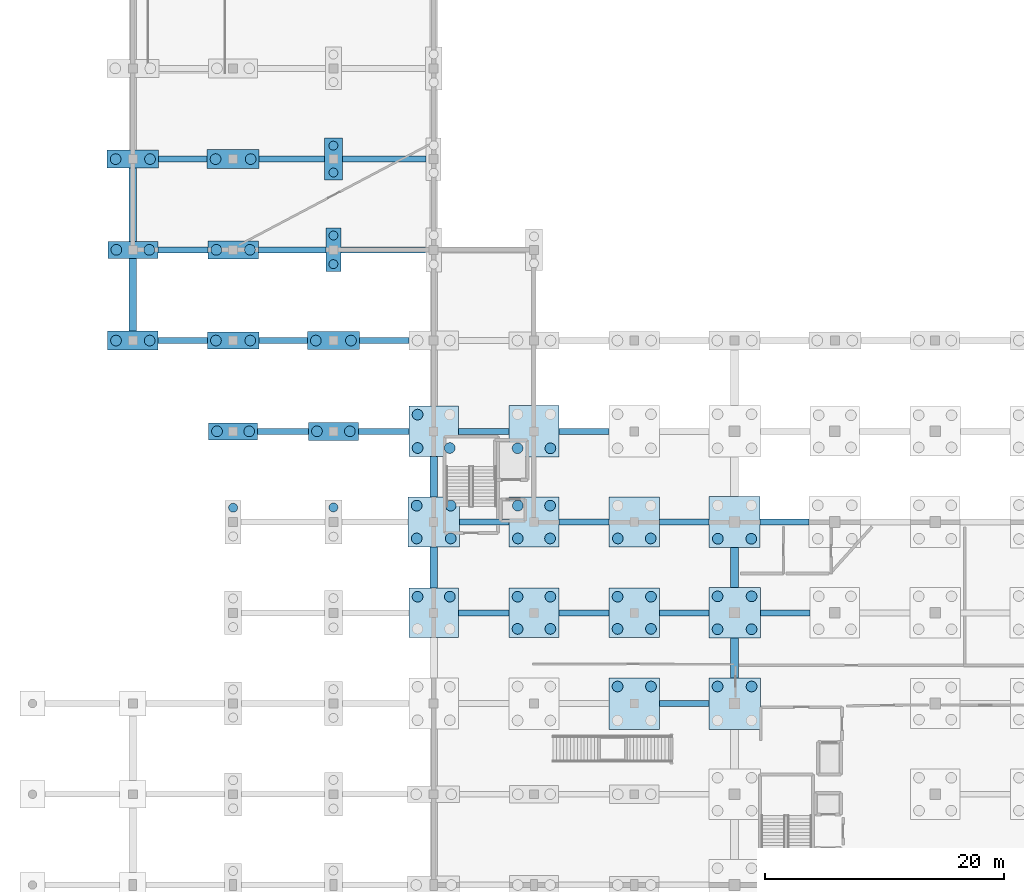
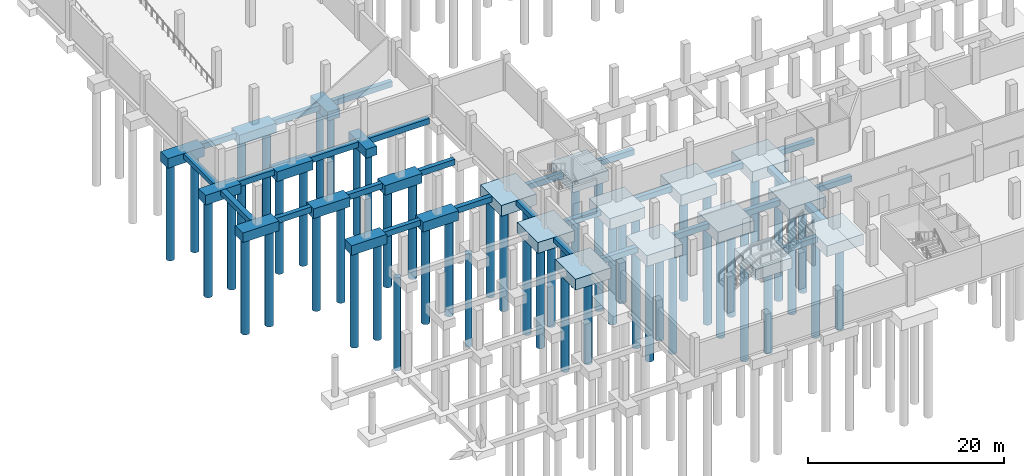
# One storey, part 2 of 22: 59 piles, 51 footings.
"""IFC4 building model written with IfcOpenShell, lengths in metres."""

from ifc_helpers import new_model, si_unit, direction, frame, origin, origin_2d, place, context, subcontext, project, spatial, rectangle, circle, extrude, material, material_profile, profile_set, type_object, element, save


model = new_model("IFC4")

# Units and contexts
model_context = context("Model", 3, precision=1e-05, world=origin(), true_north=direction((0.0, 1.0)))
body_context = subcontext(model_context, "Body", "Model", "MODEL_VIEW")
ifc_project = project(units=[si_unit("LENGTHUNIT", "METRE"), si_unit("AREAUNIT", "SQUARE_METRE"), si_unit("VOLUMEUNIT", "CUBIC_METRE"), si_unit("PLANEANGLEUNIT", "RADIAN"), si_unit("MASSUNIT", "GRAM", prefix="KILO")], contexts=[model_context])

# Site, building, storey
site_placement = place(None, origin())
site = spatial("IfcSite", under=ifc_project, at=site_placement, CompositionType="ELEMENT")
building_placement = place(site_placement, origin())
building = spatial("IfcBuilding", under=site, at=building_placement, Name="Zuvorla Pavilion Media Centre", CompositionType="ELEMENT")
storey_placement = place(building_placement, frame((0.0, 0.0, -4.5)))
storey = spatial("IfcBuildingStorey", under=building, at=storey_placement, Name="B01", CompositionType="ELEMENT", Elevation=-4.5)

# Footings
ifc_material = material(Name="Concrete C40/50", Category="concrete")
footing_type_1 = type_object("IfcFootingType", Name="FT-GB56", PredefinedType="FOOTING_BEAM", material=ifc_material)
footing_1_placement = place(storey_placement, frame((62.58740234375, 21.199951171875, -1.10009765625), z_axis=(0.0, 0.0, 1.0), x_axis=(1.0, 0.0, 0.0)))
element("IfcFooting", 1, at=footing_1_placement, inside=storey, type_object=footing_type_1, Name="Ground beam GB56 43", PredefinedType="FOOTING_BEAM", context=body_context, shape_type="SweptSolid", body=[
    extrude(rectangle(XDim=4.114990234375, YDim=0.5, at=origin_2d()), origin(), (0.0, 0.0, 1.0), 0.699951171875),
])
footing_2_placement = place(storey_placement, frame((45.78759765625, 28.800048828125, -1.10009765625), z_axis=(0.0, 0.0, 1.0), x_axis=(1.0, 0.0, 0.0)))
element("IfcFooting", 2, at=footing_2_placement, inside=storey, type_object=footing_type_1, Name="Ground beam GB56 54", PredefinedType="FOOTING_BEAM", context=body_context, shape_type="SweptSolid", body=[
    extrude(rectangle(XDim=4.215087890625, YDim=0.5, at=origin_2d()), origin(), (0.0, 0.0, 1.0), 0.699951171875),
])
footing_3_placement = place(storey_placement, frame((54.1875, 28.800048828125, -1.10009765625), z_axis=(0.0, 0.0, 1.0), x_axis=(1.0, 0.0, 0.0)))
element("IfcFooting", 3, at=footing_3_placement, inside=storey, type_object=footing_type_1, Name="Ground beam GB56 55", PredefinedType="FOOTING_BEAM", context=body_context, shape_type="SweptSolid", body=[
    extrude(rectangle(XDim=4.1650390625, YDim=0.5, at=origin_2d()), origin(), (0.0, 0.0, 1.0), 0.699951171875),
])
footing_4_placement = place(storey_placement, frame((62.58740234375, 28.800048828125, -1.10009765625), z_axis=(0.0, 0.0, 1.0), x_axis=(1.0, 0.0, 0.0)))
element("IfcFooting", 4, at=footing_4_placement, inside=storey, type_object=footing_type_1, Name="Ground beam GB56 56", PredefinedType="FOOTING_BEAM", context=body_context, shape_type="SweptSolid", body=[
    extrude(rectangle(XDim=4.114990234375, YDim=0.5, at=origin_2d()), origin(), (0.0, 0.0, 1.0), 0.699951171875),
])
for number, where, z_axis, x_axis, name in (
    (5, (71.03759765625, 28.800048828125, -1.10009765625), (0.0, 0.0, 1.0), (1.0, 0.0, 0.0), "Ground beam GB56 57"),
    (6, (45.83740234375, 36.39990234375, -1.10009765625), (0.0, 0.0, 1.0), (1.0, 0.0, 0.0), "Ground beam GB56 67"),
):
    element("IfcFooting", number, at=place(storey_placement, frame(where, z_axis=z_axis, x_axis=x_axis)), inside=storey, type_object=footing_type_1, Name=name, PredefinedType="FOOTING_BEAM", context=body_context, shape_type="SweptSolid", body=[
        extrude(rectangle(XDim=4.1650390625, YDim=0.5, at=origin_2d()), origin(), (0.0, 0.0, 1.0), 0.699951171875),
    ])
footing_5_placement = place(storey_placement, frame((54.1875, 36.39990234375, -1.10009765625), z_axis=(0.0, 0.0, 1.0), x_axis=(1.0, 0.0, 0.0)))
element("IfcFooting", 7, at=footing_5_placement, inside=storey, type_object=footing_type_1, Name="Ground beam GB56 68", PredefinedType="FOOTING_BEAM", context=body_context, shape_type="SweptSolid", body=[
    extrude(rectangle(XDim=4.215087890625, YDim=0.5, at=origin_2d()), origin(), (0.0, 0.0, 1.0), 0.699951171875),
])
footing_6_placement = place(storey_placement, frame((62.58740234375, 36.39990234375, -1.10009765625), z_axis=(0.0, 0.0, 1.0), x_axis=(1.0, 0.0, 0.0)))
element("IfcFooting", 8, at=footing_6_placement, inside=storey, type_object=footing_type_1, Name="Ground beam GB56 69", PredefinedType="FOOTING_BEAM", context=body_context, shape_type="SweptSolid", body=[
    extrude(rectangle(XDim=4.1650390625, YDim=0.5, at=origin_2d()), origin(), (0.0, 0.0, 1.0), 0.699951171875),
])
footing_7_placement = place(storey_placement, frame((70.987548828125, 36.39990234375, -1.10009765625), z_axis=(0.0, 0.0, 1.0), x_axis=(1.0, 0.0, 0.0)))
element("IfcFooting", 9, at=footing_7_placement, inside=storey, type_object=footing_type_1, Name="Ground beam GB56 70", PredefinedType="FOOTING_BEAM", context=body_context, shape_type="SweptSolid", body=[
    extrude(rectangle(XDim=4.114990234375, YDim=0.5, at=origin_2d()), origin(), (0.0, 0.0, 1.0), 0.699951171875),
])
footing_8_placement = place(storey_placement, frame((28.985107421875, 44.0, -1.10009765625), z_axis=(0.0, 0.0, 1.0), x_axis=(1.0, 0.0, 0.0)))
element("IfcFooting", 10, at=footing_8_placement, inside=storey, type_object=footing_type_1, Name="Ground beam GB56 81", PredefinedType="FOOTING_BEAM", context=body_context, shape_type="SweptSolid", body=[
    extrude(rectangle(XDim=4.25, YDim=0.5, at=origin_2d()), origin(), (0.0, 0.0, 1.0), 0.699951171875),
])
footing_9_placement = place(storey_placement, frame((37.405029296875, 44.0, -1.10009765625), z_axis=(0.0, 0.0, 1.0), x_axis=(1.0, 0.0, 0.0)))
element("IfcFooting", 11, at=footing_9_placement, inside=storey, type_object=footing_type_1, Name="Ground beam GB56 82", PredefinedType="FOOTING_BEAM", context=body_context, shape_type="SweptSolid", body=[
    extrude(rectangle(XDim=4.22998046875, YDim=0.5, at=origin_2d()), origin(), (0.0, 0.0, 1.0), 0.699951171875),
])
footing_10_placement = place(storey_placement, frame((45.78759765625, 44.0, -1.10009765625), z_axis=(0.0, 0.0, 1.0), x_axis=(1.0, 0.0, 0.0)))
element("IfcFooting", 12, at=footing_10_placement, inside=storey, type_object=footing_type_1, Name="Ground beam GB56 83", PredefinedType="FOOTING_BEAM", context=body_context, shape_type="SweptSolid", body=[
    extrude(rectangle(XDim=4.215087890625, YDim=0.5, at=origin_2d()), origin(), (0.0, 0.0, 1.0), 0.699951171875),
])
footing_11_placement = place(storey_placement, frame((54.1875, 44.0, -1.10009765625), z_axis=(0.0, 0.0, 1.0), x_axis=(1.0, 0.0, 0.0)))
element("IfcFooting", 13, at=footing_11_placement, inside=storey, type_object=footing_type_1, Name="Ground beam GB56 84", PredefinedType="FOOTING_BEAM", context=body_context, shape_type="SweptSolid", body=[
    extrude(rectangle(XDim=4.1650390625, YDim=0.5, at=origin_2d()), origin(), (0.0, 0.0, 1.0), 0.699951171875),
])
footing_12_placement = place(storey_placement, frame((20.5849609375, 51.60009765625, -1.10009765625), z_axis=(0.0, 0.0, 1.0), x_axis=(1.0, 0.0, 0.0)))
element("IfcFooting", 14, at=footing_12_placement, inside=storey, type_object=footing_type_1, Name="Ground beam GB56 97", PredefinedType="FOOTING_BEAM", context=body_context, shape_type="SweptSolid", body=[
    extrude(rectangle(XDim=4.1298828125, YDim=0.5, at=origin_2d()), origin(), (0.0, 0.0, 1.0), 0.699951171875),
])
footing_13_placement = place(storey_placement, frame((28.985107421875, 51.60009765625, -1.10009765625), z_axis=(0.0, 0.0, 1.0), x_axis=(1.0, 0.0, 0.0)))
element("IfcFooting", 15, at=footing_13_placement, inside=storey, type_object=footing_type_1, Name="Ground beam GB56 98", PredefinedType="FOOTING_BEAM", context=body_context, shape_type="SweptSolid", body=[
    extrude(rectangle(XDim=4.070068359375, YDim=0.5, at=origin_2d()), origin(), (0.0, 0.0, 1.0), 0.699951171875),
])
footing_14_placement = place(storey_placement, frame((37.4599609375, 51.60009765625, -1.10009765625), z_axis=(0.0, 0.0, 1.0), x_axis=(1.0, 0.0, 0.0)))
element("IfcFooting", 16, at=footing_14_placement, inside=storey, type_object=footing_type_1, Name="Ground beam GB56 99", PredefinedType="FOOTING_BEAM", context=body_context, shape_type="SweptSolid", body=[
    extrude(rectangle(XDim=4.159912109375, YDim=0.5, at=origin_2d()), origin(), (0.0, 0.0, 1.0), 0.699951171875),
])
footing_15_placement = place(storey_placement, frame((20.5849609375, 59.199951171875, -1.10009765625), z_axis=(0.0, 0.0, 1.0), x_axis=(1.0, 0.0, 0.0)))
element("IfcFooting", 17, at=footing_15_placement, inside=storey, type_object=footing_type_1, Name="Ground beam GB56 115", PredefinedType="FOOTING_BEAM", context=body_context, shape_type="SweptSolid", body=[
    extrude(rectangle(XDim=4.18994140625, YDim=0.5, at=origin_2d()), origin(), (0.0, 0.0, 1.0), 0.699951171875),
])
footing_16_placement = place(storey_placement, frame((29.74755859375, 59.199951171875, -1.10009765625), z_axis=(0.0, 0.0, 1.0), x_axis=(1.0, 0.0, 0.0)))
element("IfcFooting", 18, at=footing_16_placement, inside=storey, type_object=footing_type_1, Name="Ground beam GB56 116", PredefinedType="FOOTING_BEAM", context=body_context, shape_type="SweptSolid", body=[
    extrude(rectangle(XDim=5.655029296875, YDim=0.5, at=origin_2d()), origin(), (0.0, 0.0, 1.0), 0.699951171875),
])
footing_17_placement = place(storey_placement, frame((37.3798828125, 59.199951171875, -1.10009765625), z_axis=(0.0, 0.0, 1.0), x_axis=(1.0, 0.0, 0.0)))
element("IfcFooting", 19, at=footing_17_placement, inside=storey, type_object=footing_type_1, Name="Ground beam GB56 117", PredefinedType="FOOTING_BEAM", context=body_context, shape_type="SweptSolid", body=[
    extrude(rectangle(XDim=7.110107421875, YDim=0.5, at=origin_2d()), origin(), (0.0, 0.0, 1.0), 0.699951171875),
])
footing_18_placement = place(storey_placement, frame((20.5849609375, 66.800048828125, -1.10009765625), z_axis=(0.0, 0.0, 1.0), x_axis=(1.0, 0.0, 0.0)))
element("IfcFooting", 20, at=footing_18_placement, inside=storey, type_object=footing_type_1, Name="Ground beam GB56 120", PredefinedType="FOOTING_BEAM", context=body_context, shape_type="SweptSolid", body=[
    extrude(rectangle(XDim=4.070068359375, YDim=0.5, at=origin_2d()), origin(), (0.0, 0.0, 1.0), 0.699951171875),
])
footing_19_placement = place(storey_placement, frame((29.717529296875, 66.800048828125, -1.10009765625), z_axis=(0.0, 0.0, 1.0), x_axis=(1.0, 0.0, 0.0)))
element("IfcFooting", 21, at=footing_19_placement, inside=storey, type_object=footing_type_1, Name="Ground beam GB56 121", PredefinedType="FOOTING_BEAM", context=body_context, shape_type="SweptSolid", body=[
    extrude(rectangle(XDim=5.47509765625, YDim=0.5, at=origin_2d()), origin(), (0.0, 0.0, 1.0), 0.699951171875),
])
footing_20_placement = place(storey_placement, frame((37.4599609375, 66.800048828125, -1.10009765625), z_axis=(0.0, 0.0, 1.0), x_axis=(1.0, 0.0, 0.0)))
element("IfcFooting", 22, at=footing_20_placement, inside=storey, type_object=footing_type_1, Name="Ground beam GB56 122", PredefinedType="FOOTING_BEAM", context=body_context, shape_type="SweptSolid", body=[
    extrude(rectangle(XDim=7.030029296875, YDim=0.5, at=origin_2d()), origin(), (0.0, 0.0, 1.0), 0.699951171875),
])
footing_type_2 = type_object("IfcFootingType", Name="FT-PC05", PredefinedType="PILE_CAP", material=ifc_material)
footing_21_placement = place(storey_placement, frame((33.199951171875, 51.60009765625, -1.60009765625), z_axis=(0.0, 0.0, 1.0), x_axis=(1.0, 0.0, 0.0)))
element("IfcFooting", 23, at=footing_21_placement, inside=storey, type_object=footing_type_2, Name="Pile cap PC05", PredefinedType="PILE_CAP", context=body_context, shape_type="SweptSolid", body=[
    extrude(rectangle(XDim=4.360107421875, YDim=1.5, at=origin_2d()), origin(), (0.0, 0.0, 1.0), 1.199951171875),
])
footing_type_3 = type_object("IfcFootingType", Name="FT-PC07", PredefinedType="PILE_CAP", material=ifc_material)
footing_22_placement = place(storey_placement, frame((16.39990234375, 59.199951171875, -1.60009765625), z_axis=(0.0, 0.0, 1.0), x_axis=(1.0, 0.0, 0.0)))
element("IfcFooting", 24, at=footing_22_placement, inside=storey, type_object=footing_type_3, Name="Pile cap PC07", PredefinedType="PILE_CAP", context=body_context, shape_type="SweptSolid", body=[
    extrude(rectangle(XDim=4.179931640625, YDim=1.419921875, at=origin_2d()), origin(), (0.0, 0.0, 1.0), 1.199951171875),
])
footing_type_4 = type_object("IfcFootingType", Name="FT-PC09", PredefinedType="PILE_CAP", material=ifc_material)
footing_23_placement = place(storey_placement, frame((41.60009765625, 44.0, -1.75), z_axis=(0.0, 0.0, 1.0), x_axis=(1.0, 0.0, 0.0)))
element("IfcFooting", 25, at=footing_23_placement, inside=storey, type_object=footing_type_4, Name="Pile cap PC09", PredefinedType="PILE_CAP", context=body_context, shape_type="SweptSolid", body=[
    extrude(rectangle(XDim=4.159912109375, YDim=4.260009765625, at=origin_2d()), origin(), (0.0, 0.0, 1.0), 1.35009765625),
])
footing_type_5 = type_object("IfcFootingType", Name="FT-PC10", PredefinedType="PILE_CAP", material=ifc_material)
footing_24_placement = place(storey_placement, frame((50.0, 44.0, -1.75), z_axis=(0.0, 0.0, 1.0), x_axis=(1.0, 0.0, 0.0)))
element("IfcFooting", 26, at=footing_24_placement, inside=storey, type_object=footing_type_5, Name="Pile cap PC10", PredefinedType="PILE_CAP", context=body_context, shape_type="SweptSolid", body=[
    extrude(rectangle(XDim=4.2099609375, YDim=4.31005859375, at=origin_2d()), origin(), (0.0, 0.0, 1.0), 1.35009765625),
])
footing_type_6 = type_object("IfcFootingType", Name="FT-PC11", PredefinedType="PILE_CAP", material=ifc_material)
footing_25_placement = place(storey_placement, frame((58.39990234375, 21.199951171875, -1.75), z_axis=(0.0, 0.0, 1.0), x_axis=(1.0, 0.0, 0.0)))
element("IfcFooting", 27, at=footing_25_placement, inside=storey, type_object=footing_type_6, Name="Pile cap PC11", PredefinedType="PILE_CAP", context=body_context, shape_type="SweptSolid", body=[
    extrude(rectangle(XDim=4.260009765625, YDim=4.31005859375, at=origin_2d()), origin(), (0.0, 0.0, 1.0), 1.35009765625),
])
footing_type_7 = type_object("IfcFootingType", Name="FT-PC12", PredefinedType="PILE_CAP", material=ifc_material)
footing_26_placement = place(storey_placement, frame((66.800048828125, 21.199951171875, -1.75), z_axis=(0.0, 0.0, 1.0), x_axis=(1.0, 0.0, 0.0)))
element("IfcFooting", 28, at=footing_26_placement, inside=storey, type_object=footing_type_7, Name="Pile cap PC12", PredefinedType="PILE_CAP", context=body_context, shape_type="SweptSolid", body=[
    extrude(rectangle(XDim=4.31005859375, YDim=4.31005859375, at=origin_2d()), origin(), (0.0, 0.0, 1.0), 1.35009765625),
])
footing_type_8 = type_object("IfcFootingType", Name="FT-PC14", PredefinedType="PILE_CAP", material=ifc_material)
footing_27_placement = place(storey_placement, frame((16.39990234375, 66.800048828125, -1.60009765625), z_axis=(0.0, 0.0, 1.0), x_axis=(1.0, 0.0, 0.0)))
element("IfcFooting", 29, at=footing_27_placement, inside=storey, type_object=footing_type_8, Name="Pile cap PC14", PredefinedType="PILE_CAP", context=body_context, shape_type="SweptSolid", body=[
    extrude(rectangle(XDim=4.300048828125, YDim=1.5, at=origin_2d()), origin(), (0.0, 0.0, 1.0), 1.199951171875),
])
footing_type_9 = type_object("IfcFootingType", Name="FT-PC15", PredefinedType="PILE_CAP", material=ifc_material)
footing_28_placement = place(storey_placement, frame((24.800048828125, 66.800048828125, -1.60009765625), z_axis=(0.0, 0.0, 1.0), x_axis=(1.0, 0.0, 0.0)))
element("IfcFooting", 30, at=footing_28_placement, inside=storey, type_object=footing_type_9, Name="Pile cap PC15", PredefinedType="PILE_CAP", context=body_context, shape_type="SweptSolid", body=[
    extrude(rectangle(XDim=4.360107421875, YDim=1.580078125, at=origin_2d()), origin(), (0.0, 0.0, 1.0), 1.199951171875),
])
footing_type_10 = type_object("IfcFootingType", Name="FT-PC16", PredefinedType="PILE_CAP", material=ifc_material)
footing_29_placement = place(storey_placement, frame((24.800048828125, 44.0, -1.60009765625), z_axis=(0.0, 0.0, 1.0), x_axis=(1.0, 0.0, 0.0)))
element("IfcFooting", 31, at=footing_29_placement, inside=storey, type_object=footing_type_10, Name="Pile cap PC16", PredefinedType="PILE_CAP", context=body_context, shape_type="SweptSolid", body=[
    extrude(rectangle(XDim=4.1201171875, YDim=1.419921875, at=origin_2d()), origin(), (0.0, 0.0, 1.0), 1.199951171875),
])
footing_type_11 = type_object("IfcFootingType", Name="FT-PC17", PredefinedType="PILE_CAP", material=ifc_material)
footing_30_placement = place(storey_placement, frame((33.199951171875, 44.0, -1.60009765625), z_axis=(0.0, 0.0, 1.0), x_axis=(1.0, 0.0, 0.0)))
element("IfcFooting", 32, at=footing_30_placement, inside=storey, type_object=footing_type_11, Name="Pile cap PC17", PredefinedType="PILE_CAP", context=body_context, shape_type="SweptSolid", body=[
    extrude(rectangle(XDim=4.179931640625, YDim=1.5, at=origin_2d()), origin(), (0.0, 0.0, 1.0), 1.199951171875),
])
footing_type_12 = type_object("IfcFootingType", Name="FT-PC18", PredefinedType="PILE_CAP", material=ifc_material)
footing_31_placement = place(storey_placement, frame((16.39990234375, 51.60009765625, -1.60009765625), z_axis=(0.0, 0.0, 1.0), x_axis=(1.0, 0.0, 0.0)))
element("IfcFooting", 33, at=footing_31_placement, inside=storey, type_object=footing_type_12, Name="Pile cap PC18", PredefinedType="PILE_CAP", context=body_context, shape_type="SweptSolid", body=[
    extrude(rectangle(XDim=4.239990234375, YDim=1.580078125, at=origin_2d()), origin(), (0.0, 0.0, 1.0), 1.199951171875),
])
footing_type_13 = type_object("IfcFootingType", Name="FT-PC26", PredefinedType="PILE_CAP", material=ifc_material)
for number, where, z_axis, x_axis, name in (
    (34, (66.800048828125, 28.800048828125, -1.75), (0.0, 0.0, 1.0), (1.0, 0.0, 0.0), "Pile cap PC26"),
    (35, (41.60009765625, 36.39990234375, -1.75), (0.0, 0.0, 1.0), (1.0, 0.0, 0.0), "Pile cap PC26"),
):
    element("IfcFooting", number, at=place(storey_placement, frame(where, z_axis=z_axis, x_axis=x_axis)), inside=storey, type_object=footing_type_13, Name=name, PredefinedType="PILE_CAP", context=body_context, shape_type="SweptSolid", body=[
        extrude(rectangle(XDim=4.31005859375, YDim=4.2099609375, at=origin_2d()), origin(), (0.0, 0.0, 1.0), 1.35009765625),
    ])
footing_type_14 = type_object("IfcFootingType", Name="FT-PC27", PredefinedType="PILE_CAP", material=ifc_material)
footing_32_placement = place(storey_placement, frame((50.0, 36.39990234375, -1.75), z_axis=(0.0, 0.0, 1.0), x_axis=(1.0, 0.0, 0.0)))
element("IfcFooting", 36, at=footing_32_placement, inside=storey, type_object=footing_type_14, Name="Pile cap PC27", PredefinedType="PILE_CAP", context=body_context, shape_type="SweptSolid", body=[
    extrude(rectangle(XDim=4.159912109375, YDim=4.2099609375, at=origin_2d()), origin(), (0.0, 0.0, 1.0), 1.35009765625),
])
footing_type_15 = type_object("IfcFootingType", Name="FT-PC28", PredefinedType="PILE_CAP", material=ifc_material)
footing_33_placement = place(storey_placement, frame((58.39990234375, 36.39990234375, -1.75), z_axis=(0.0, 0.0, 1.0), x_axis=(1.0, 0.0, 0.0)))
element("IfcFooting", 37, at=footing_33_placement, inside=storey, type_object=footing_type_15, Name="Pile cap PC28", PredefinedType="PILE_CAP", context=body_context, shape_type="SweptSolid", body=[
    extrude(rectangle(XDim=4.2099609375, YDim=4.2099609375, at=origin_2d()), origin(), (0.0, 0.0, 1.0), 1.35009765625),
])
footing_type_16 = type_object("IfcFootingType", Name="FT-PC29", PredefinedType="PILE_CAP", material=ifc_material)
footing_34_placement = place(storey_placement, frame((66.800048828125, 36.39990234375, -1.75), z_axis=(0.0, 0.0, 1.0), x_axis=(1.0, 0.0, 0.0)))
element("IfcFooting", 38, at=footing_34_placement, inside=storey, type_object=footing_type_16, Name="Pile cap PC29", PredefinedType="PILE_CAP", context=body_context, shape_type="SweptSolid", body=[
    extrude(rectangle(XDim=4.260009765625, YDim=4.260009765625, at=origin_2d()), origin(), (0.0, 0.0, 1.0), 1.35009765625),
])
footing_type_17 = type_object("IfcFootingType", Name="FT-PC30", PredefinedType="PILE_CAP", material=ifc_material)
footing_35_placement = place(storey_placement, frame((24.800048828125, 51.60009765625, -1.60009765625), z_axis=(0.0, 0.0, 1.0), x_axis=(1.0, 0.0, 0.0)))
element("IfcFooting", 39, at=footing_35_placement, inside=storey, type_object=footing_type_17, Name="Pile cap PC30", PredefinedType="PILE_CAP", context=body_context, shape_type="SweptSolid", body=[
    extrude(rectangle(XDim=4.300048828125, YDim=1.419921875, at=origin_2d()), origin(), (0.0, 0.0, 1.0), 1.199951171875),
])
footing_type_18 = type_object("IfcFootingType", Name="FT-PC31", PredefinedType="PILE_CAP", material=ifc_material)
footing_36_placement = place(storey_placement, frame((24.800048828125, 59.199951171875, -1.60009765625), z_axis=(0.0, 0.0, 1.0), x_axis=(1.0, 0.0, 0.0)))
element("IfcFooting", 40, at=footing_36_placement, inside=storey, type_object=footing_type_18, Name="Pile cap PC31", PredefinedType="PILE_CAP", context=body_context, shape_type="SweptSolid", body=[
    extrude(rectangle(XDim=4.239990234375, YDim=1.5, at=origin_2d()), origin(), (0.0, 0.0, 1.0), 1.199951171875),
])
footing_type_19 = type_object("IfcFootingType", Name="FT-PC34", PredefinedType="PILE_CAP", material=ifc_material)
footing_37_placement = place(storey_placement, frame((41.60009765625, 28.800048828125, -1.75), z_axis=(0.0, 0.0, 1.0), x_axis=(1.0, 0.0, 0.0)))
element("IfcFooting", 41, at=footing_37_placement, inside=storey, type_object=footing_type_19, Name="Pile cap PC34", PredefinedType="PILE_CAP", context=body_context, shape_type="SweptSolid", body=[
    extrude(rectangle(XDim=4.159912109375, YDim=4.159912109375, at=origin_2d()), origin(), (0.0, 0.0, 1.0), 1.35009765625),
])
footing_type_20 = type_object("IfcFootingType", Name="FT-PC35", PredefinedType="PILE_CAP", material=ifc_material)
footing_38_placement = place(storey_placement, frame((50.0, 28.800048828125, -1.75), z_axis=(0.0, 0.0, 1.0), x_axis=(1.0, 0.0, 0.0)))
element("IfcFooting", 42, at=footing_38_placement, inside=storey, type_object=footing_type_20, Name="Pile cap PC35", PredefinedType="PILE_CAP", context=body_context, shape_type="SweptSolid", body=[
    extrude(rectangle(XDim=4.2099609375, YDim=4.159912109375, at=origin_2d()), origin(), (0.0, 0.0, 1.0), 1.35009765625),
])
footing_type_21 = type_object("IfcFootingType", Name="FT-PC36", PredefinedType="PILE_CAP", material=ifc_material)
footing_39_placement = place(storey_placement, frame((58.39990234375, 28.800048828125, -1.75), z_axis=(0.0, 0.0, 1.0), x_axis=(1.0, 0.0, 0.0)))
element("IfcFooting", 43, at=footing_39_placement, inside=storey, type_object=footing_type_21, Name="Pile cap PC36", PredefinedType="PILE_CAP", context=body_context, shape_type="SweptSolid", body=[
    extrude(rectangle(XDim=4.260009765625, YDim=4.159912109375, at=origin_2d()), origin(), (0.0, 0.0, 1.0), 1.35009765625),
])
footing_type_22 = type_object("IfcFootingType", Name="FT-PC42", PredefinedType="PILE_CAP", material=ifc_material)
footing_40_placement = place(storey_placement, frame((33.199951171875, 59.199951171875, -1.5), z_axis=(0.0, 0.0, 1.0), x_axis=(1.0, 0.0, 0.0)))
element("IfcFooting", 44, at=footing_40_placement, inside=storey, type_object=footing_type_22, Name="Pile cap PC42", PredefinedType="PILE_CAP", context=body_context, shape_type="SweptSolid", body=[
    extrude(rectangle(XDim=1.25, YDim=3.64990234375, at=origin_2d()), origin(), (0.0, 0.0, 1.0), 1.10009765625),
])
footing_type_23 = type_object("IfcFootingType", Name="FT-PC45", PredefinedType="PILE_CAP", material=ifc_material)
footing_41_placement = place(storey_placement, frame((33.199951171875, 66.800048828125, -1.5), z_axis=(0.0, 0.0, 1.0), x_axis=(1.0, 0.0, 0.0)))
element("IfcFooting", 45, at=footing_41_placement, inside=storey, type_object=footing_type_23, Name="Pile cap PC45", PredefinedType="PILE_CAP", context=body_context, shape_type="SweptSolid", body=[
    extrude(rectangle(XDim=1.489990234375, YDim=3.5, at=origin_2d()), origin(), (0.0, 0.0, 1.0), 1.10009765625),
])
footing_type_24 = type_object("IfcFootingType", Name="FT-SF57", PredefinedType="STRIP_FOOTING", material=ifc_material)
footing_42_placement = place(storey_placement, frame((16.39990234375, 55.43994140625, -1.0), z_axis=(0.0, 0.0, 1.0), x_axis=(0.0, 1.0, 0.0)))
element("IfcFooting", 46, at=footing_42_placement, inside=storey, type_object=footing_type_24, Name="Strip footing SF57 3", PredefinedType="STRIP_FOOTING", context=body_context, shape_type="SweptSolid", body=[
    extrude(rectangle(XDim=6.10009765625, YDim=0.64990234375, at=origin_2d()), origin(), (0.0, 0.0, 1.0), 0.60009765625),
])
footing_43_placement = place(storey_placement, frame((16.39990234375, 62.97998046875, -1.0), z_axis=(0.0, 0.0, 1.0), x_axis=(0.0, 1.0, 0.0)))
element("IfcFooting", 47, at=footing_43_placement, inside=storey, type_object=footing_type_24, Name="Strip footing SF57 4", PredefinedType="STRIP_FOOTING", context=body_context, shape_type="SweptSolid", body=[
    extrude(rectangle(XDim=6.139892578125, YDim=0.64990234375, at=origin_2d()), origin(), (0.0, 0.0, 1.0), 0.60009765625),
])
footing_44_placement = place(storey_placement, frame((41.60009765625, 32.58740234375, -1.0), z_axis=(0.0, 0.0, 1.0), x_axis=(0.0, 1.0, 0.0)))
element("IfcFooting", 48, at=footing_44_placement, inside=storey, type_object=footing_type_24, Name="Strip footing SF57 15", PredefinedType="STRIP_FOOTING", context=body_context, shape_type="SweptSolid", body=[
    extrude(rectangle(XDim=3.4150390625, YDim=0.64990234375, at=origin_2d()), origin(), (0.0, 0.0, 1.0), 0.60009765625),
])
footing_45_placement = place(storey_placement, frame((41.60009765625, 40.1875, -1.0), z_axis=(0.0, 0.0, 1.0), x_axis=(0.0, 1.0, 0.0)))
element("IfcFooting", 49, at=footing_45_placement, inside=storey, type_object=footing_type_24, Name="Strip footing SF57 16", PredefinedType="STRIP_FOOTING", context=body_context, shape_type="SweptSolid", body=[
    extrude(rectangle(XDim=3.364990234375, YDim=0.64990234375, at=origin_2d()), origin(), (0.0, 0.0, 1.0), 0.60009765625),
])
footing_46_placement = place(storey_placement, frame((66.800048828125, 25.02490234375, -1.0), z_axis=(0.0, 0.0, 1.0), x_axis=(0.0, 1.0, 0.0)))
element("IfcFooting", 50, at=footing_46_placement, inside=storey, type_object=footing_type_24, Name="Strip footing SF57 29", PredefinedType="STRIP_FOOTING", context=body_context, shape_type="SweptSolid", body=[
    extrude(rectangle(XDim=3.340087890625, YDim=0.64990234375, at=origin_2d()), origin(), (0.0, 0.0, 1.0), 0.60009765625),
])
footing_47_placement = place(storey_placement, frame((66.800048828125, 32.58740234375, -1.0), z_axis=(0.0, 0.0, 1.0), x_axis=(0.0, 1.0, 0.0)))
element("IfcFooting", 51, at=footing_47_placement, inside=storey, type_object=footing_type_24, Name="Strip footing SF57 30", PredefinedType="STRIP_FOOTING", context=body_context, shape_type="SweptSolid", body=[
    extrude(rectangle(XDim=3.364990234375, YDim=0.64990234375, at=origin_2d()), origin(), (0.0, 0.0, 1.0), 0.60009765625),
])

# Piles
ifc_material_profile_1 = material_profile(ifc_material, circle(Radius=0.375, at=origin_2d()), Name="BORED PILE 750")
ifc_profile_set_1 = profile_set([ifc_material_profile_1], Name="Concrete C40/50")
pile_type_1 = type_object("IfcPileType", Name="PIL-D750", PredefinedType="BORED", material=ifc_profile_set_1)
for number, where, z_axis, x_axis, name in (
    (52, (24.800048828125, 37.60009765625, -1.39990234375), (0.0, 0.0, -1.0), (1.0, 0.0, 0.0), "Bored pile P75 178"),
    (53, (33.199951171875, 37.625, -1.39990234375), (0.0, 0.0, -1.0), (1.0, 0.0, 0.0), "Bored pile P75 180"),
    (54, (33.199951171875, 58.0, -1.39990234375), (0.0, 0.0, -1.0), (1.0, 0.0, 0.0), "Bored pile P75 323"),
    (55, (33.199951171875, 60.39990234375, -1.39990234375), (0.0, 0.0, -1.0), (1.0, 0.0, 0.0), "Bored pile P75 324"),
    (56, (33.199951171875, 65.675048828125, -1.39990234375), (0.0, 0.0, -1.0), (1.0, 0.0, 0.0), "Bored pile P75 337"),
    (57, (33.199951171875, 67.925048828125, -1.39990234375), (0.0, 0.0, -1.0), (1.0, 0.0, 0.0), "Bored pile P75 338"),
):
    element("IfcPile", number, at=place(storey_placement, frame(where, z_axis=z_axis, x_axis=x_axis)), inside=storey, type_object=pile_type_1, Name=name, PredefinedType="BORED", context=body_context, shape_type="SweptSolid", body=[
        extrude(circle(Radius=0.375, at=origin_2d()), origin(), (0.0, 0.0, 1.0), 11.60009765625),
    ])
ifc_material_profile_2 = material_profile(ifc_material, circle(Radius=0.449951171875, at=origin_2d()), Name="BORED PILE 900")
ifc_profile_set_2 = profile_set([ifc_material_profile_2], Name="Concrete C40/50")
pile_type_2 = type_object("IfcPileType", Name="PIL-D900", PredefinedType="BORED", material=ifc_profile_set_2)
for number, where, z_axis, x_axis, name in (
    (58, (57.0, 22.625, -1.64990234375), (0.0, 0.0, -1.0), (1.0, 0.0, 0.0), "Bored pile P90 99"),
    (59, (59.800048828125, 22.625, -1.64990234375), (0.0, 0.0, -1.0), (1.0, 0.0, 0.0), "Bored pile P90 100"),
    (60, (65.375, 22.625, -1.64990234375), (0.0, 0.0, -1.0), (1.0, 0.0, 0.0), "Bored pile P90 103"),
    (61, (68.22509765625, 22.625, -1.64990234375), (0.0, 0.0, -1.0), (1.0, 0.0, 0.0), "Bored pile P90 104"),
    (62, (40.25, 30.14990234375, -1.64990234375), (0.0, 0.0, -1.0), (1.0, 0.0, 0.0), "Bored pile P90 135"),
    (63, (42.949951171875, 30.14990234375, -1.64990234375), (0.0, 0.0, -1.0), (1.0, 0.0, 0.0), "Bored pile P90 136"),
    (64, (48.625, 27.449951171875, -1.64990234375), (0.0, 0.0, -1.0), (1.0, 0.0, 0.0), "Bored pile P90 137"),
    (65, (51.375, 27.449951171875, -1.64990234375), (0.0, 0.0, -1.0), (1.0, 0.0, 0.0), "Bored pile P90 138"),
    (66, (48.625, 30.14990234375, -1.64990234375), (0.0, 0.0, -1.0), (1.0, 0.0, 0.0), "Bored pile P90 139"),
    (67, (51.375, 30.14990234375, -1.64990234375), (0.0, 0.0, -1.0), (1.0, 0.0, 0.0), "Bored pile P90 140"),
    (68, (57.0, 27.449951171875, -1.64990234375), (0.0, 0.0, -1.0), (1.0, 0.0, 0.0), "Bored pile P90 141"),
    (69, (59.800048828125, 27.449951171875, -1.64990234375), (0.0, 0.0, -1.0), (1.0, 0.0, 0.0), "Bored pile P90 142"),
    (70, (57.0, 30.14990234375, -1.64990234375), (0.0, 0.0, -1.0), (1.0, 0.0, 0.0), "Bored pile P90 143"),
    (71, (59.800048828125, 30.14990234375, -1.64990234375), (0.0, 0.0, -1.0), (1.0, 0.0, 0.0), "Bored pile P90 144"),
    (72, (65.375, 27.425048828125, -1.64990234375), (0.0, 0.0, -1.0), (1.0, 0.0, 0.0), "Bored pile P90 145"),
    (73, (68.22509765625, 27.425048828125, -1.64990234375), (0.0, 0.0, -1.0), (1.0, 0.0, 0.0), "Bored pile P90 146"),
    (74, (65.375, 30.175048828125, -1.64990234375), (0.0, 0.0, -1.0), (1.0, 0.0, 0.0), "Bored pile P90 147"),
    (75, (68.22509765625, 30.175048828125, -1.64990234375), (0.0, 0.0, -1.0), (1.0, 0.0, 0.0), "Bored pile P90 148"),
    (76, (40.175048828125, 35.02490234375, -1.64990234375), (0.0, 0.0, -1.0), (1.0, 0.0, 0.0), "Bored pile P90 181"),
    (77, (43.02490234375, 35.02490234375, -1.64990234375), (0.0, 0.0, -1.0), (1.0, 0.0, 0.0), "Bored pile P90 182"),
    (78, (40.175048828125, 37.77490234375, -1.64990234375), (0.0, 0.0, -1.0), (1.0, 0.0, 0.0), "Bored pile P90 183"),
    (79, (43.02490234375, 37.77490234375, -1.64990234375), (0.0, 0.0, -1.0), (1.0, 0.0, 0.0), "Bored pile P90 184"),
    (80, (48.64990234375, 35.02490234375, -1.64990234375), (0.0, 0.0, -1.0), (1.0, 0.0, 0.0), "Bored pile P90 185"),
    (81, (51.35009765625, 35.02490234375, -1.64990234375), (0.0, 0.0, -1.0), (1.0, 0.0, 0.0), "Bored pile P90 186"),
    (82, (48.64990234375, 37.77490234375, -1.64990234375), (0.0, 0.0, -1.0), (1.0, 0.0, 0.0), "Bored pile P90 187"),
    (83, (51.35009765625, 37.77490234375, -1.64990234375), (0.0, 0.0, -1.0), (1.0, 0.0, 0.0), "Bored pile P90 188"),
    (84, (57.02490234375, 35.02490234375, -1.64990234375), (0.0, 0.0, -1.0), (1.0, 0.0, 0.0), "Bored pile P90 189"),
    (85, (59.77490234375, 35.02490234375, -1.64990234375), (0.0, 0.0, -1.0), (1.0, 0.0, 0.0), "Bored pile P90 190"),
    (86, (65.39990234375, 35.0, -1.64990234375), (0.0, 0.0, -1.0), (1.0, 0.0, 0.0), "Bored pile P90 193"),
    (87, (68.199951171875, 35.0, -1.64990234375), (0.0, 0.0, -1.0), (1.0, 0.0, 0.0), "Bored pile P90 194"),
):
    element("IfcPile", number, at=place(storey_placement, frame(where, z_axis=z_axis, x_axis=x_axis)), inside=storey, type_object=pile_type_2, Name=name, PredefinedType="BORED", context=body_context, shape_type="SweptSolid", body=[
        extrude(circle(Radius=0.449951171875, at=origin_2d()), origin(), (0.0, 0.0, 1.0), 12.35009765625),
    ])
for number, where, z_axis, x_axis, name in (
    (88, (23.449951171875, 44.0, -1.5), (0.0, 0.0, -1.0), (1.0, 0.0, 0.0), "Bored pile P90 229"),
    (89, (26.14990234375, 44.0, -1.5), (0.0, 0.0, -1.0), (1.0, 0.0, 0.0), "Bored pile P90 230"),
    (90, (31.820068359375, 44.0, -1.5), (0.0, 0.0, -1.0), (1.0, 0.0, 0.0), "Bored pile P90 231"),
    (91, (34.580078125, 44.0, -1.5), (0.0, 0.0, -1.0), (1.0, 0.0, 0.0), "Bored pile P90 232"),
):
    element("IfcPile", number, at=place(storey_placement, frame(where, z_axis=z_axis, x_axis=x_axis)), inside=storey, type_object=pile_type_2, Name=name, PredefinedType="BORED", context=body_context, shape_type="SweptSolid", body=[
        extrude(circle(Radius=0.449951171875, at=origin_2d()), origin(), (0.0, 0.0, 1.0), 12.0),
    ])
for number, where, z_axis, x_axis, name in (
    (92, (40.25, 42.60009765625, -1.64990234375), (0.0, 0.0, -1.0), (1.0, 0.0, 0.0), "Bored pile P90 233"),
    (93, (42.949951171875, 42.60009765625, -1.64990234375), (0.0, 0.0, -1.0), (1.0, 0.0, 0.0), "Bored pile P90 234"),
    (94, (40.25, 45.39990234375, -1.64990234375), (0.0, 0.0, -1.0), (1.0, 0.0, 0.0), "Bored pile P90 235"),
    (95, (48.625, 42.574951171875, -1.64990234375), (0.0, 0.0, -1.0), (1.0, 0.0, 0.0), "Bored pile P90 237"),
    (96, (51.375, 42.574951171875, -1.64990234375), (0.0, 0.0, -1.0), (1.0, 0.0, 0.0), "Bored pile P90 238"),
):
    element("IfcPile", number, at=place(storey_placement, frame(where, z_axis=z_axis, x_axis=x_axis)), inside=storey, type_object=pile_type_2, Name=name, PredefinedType="BORED", context=body_context, shape_type="SweptSolid", body=[
        extrude(circle(Radius=0.449951171875, at=origin_2d()), origin(), (0.0, 0.0, 1.0), 12.35009765625),
    ])
for number, where, z_axis, x_axis, name in (
    (97, (14.989990234375, 51.60009765625, -1.5), (0.0, 0.0, -1.0), (1.0, 0.0, 0.0), "Bored pile P90 281"),
    (98, (17.81005859375, 51.60009765625, -1.5), (0.0, 0.0, -1.0), (1.0, 0.0, 0.0), "Bored pile P90 282"),
    (99, (23.360107421875, 51.60009765625, -1.5), (0.0, 0.0, -1.0), (1.0, 0.0, 0.0), "Bored pile P90 283"),
    (100, (26.239990234375, 51.60009765625, -1.5), (0.0, 0.0, -1.0), (1.0, 0.0, 0.0), "Bored pile P90 284"),
    (101, (31.72998046875, 51.60009765625, -1.5), (0.0, 0.0, -1.0), (1.0, 0.0, 0.0), "Bored pile P90 285"),
    (102, (34.669921875, 51.60009765625, -1.5), (0.0, 0.0, -1.0), (1.0, 0.0, 0.0), "Bored pile P90 286"),
    (103, (15.02001953125, 59.199951171875, -1.5), (0.0, 0.0, -1.0), (1.0, 0.0, 0.0), "Bored pile P90 319"),
    (104, (17.780029296875, 59.199951171875, -1.5), (0.0, 0.0, -1.0), (1.0, 0.0, 0.0), "Bored pile P90 320"),
    (105, (23.389892578125, 59.199951171875, -1.5), (0.0, 0.0, -1.0), (1.0, 0.0, 0.0), "Bored pile P90 321"),
    (106, (26.2099609375, 59.199951171875, -1.5), (0.0, 0.0, -1.0), (1.0, 0.0, 0.0), "Bored pile P90 322"),
    (107, (14.9599609375, 66.800048828125, -1.5), (0.0, 0.0, -1.0), (1.0, 0.0, 0.0), "Bored pile P90 333"),
    (108, (17.840087890625, 66.800048828125, -1.5), (0.0, 0.0, -1.0), (1.0, 0.0, 0.0), "Bored pile P90 334"),
    (109, (23.330078125, 66.800048828125, -1.5), (0.0, 0.0, -1.0), (1.0, 0.0, 0.0), "Bored pile P90 335"),
    (110, (26.27001953125, 66.800048828125, -1.5), (0.0, 0.0, -1.0), (1.0, 0.0, 0.0), "Bored pile P90 336"),
):
    element("IfcPile", number, at=place(storey_placement, frame(where, z_axis=z_axis, x_axis=x_axis)), inside=storey, type_object=pile_type_2, Name=name, PredefinedType="BORED", context=body_context, shape_type="SweptSolid", body=[
        extrude(circle(Radius=0.449951171875, at=origin_2d()), origin(), (0.0, 0.0, 1.0), 12.0),
    ])

save(model, "model.ifc")
